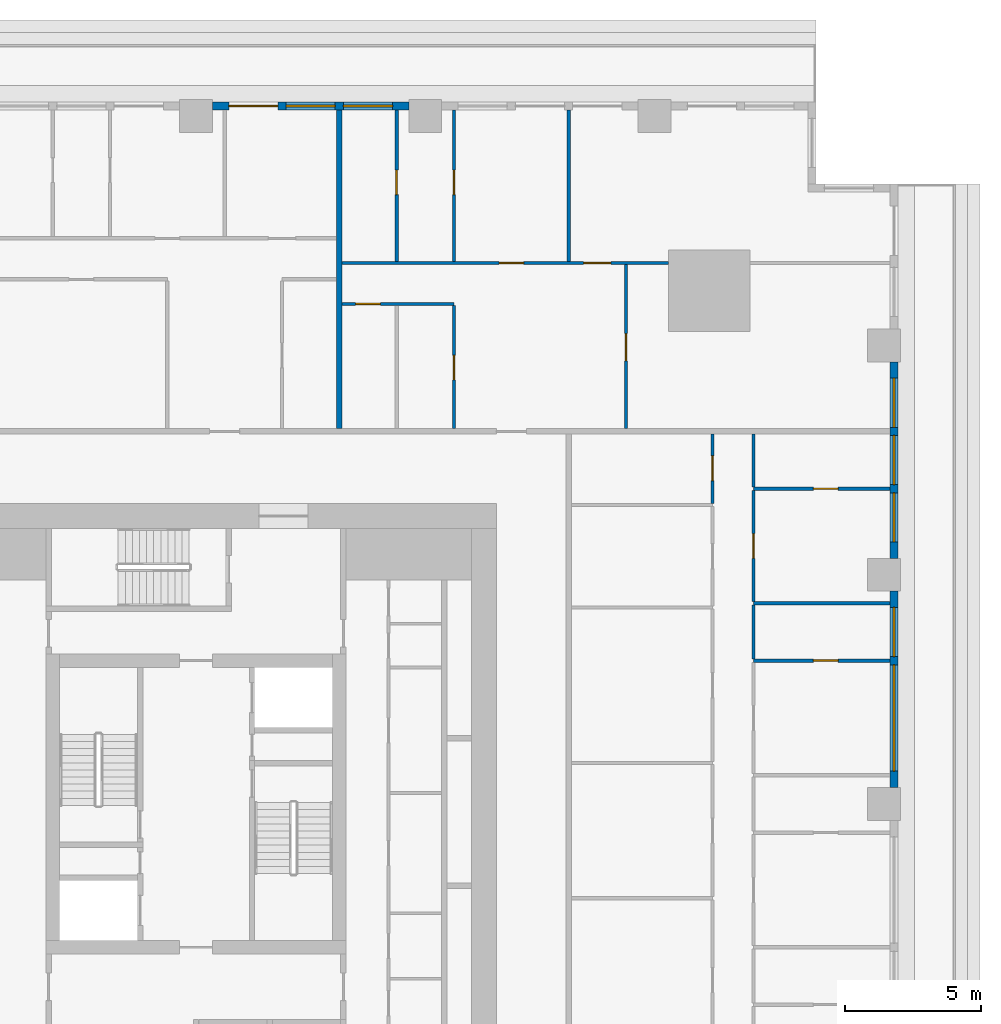
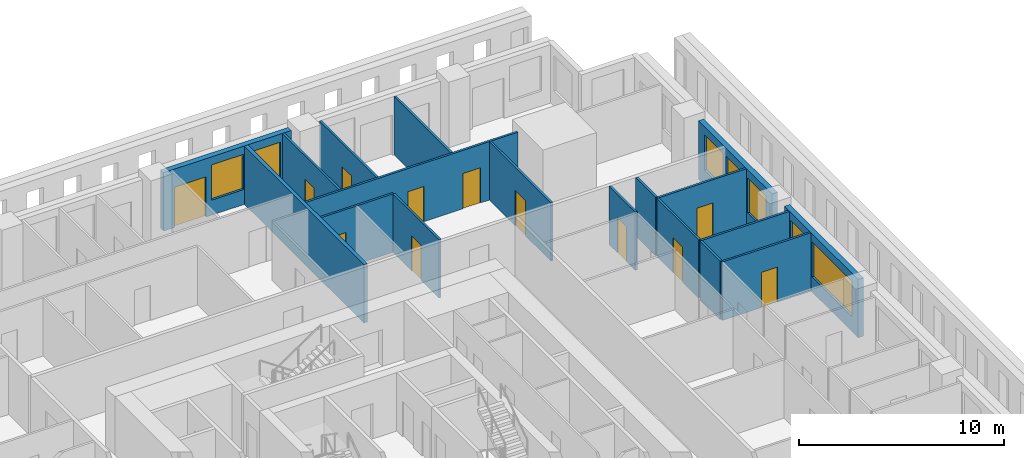
# One storey, part 9 of 15: 18 walls, 12 doors, 7 windows, 19 openings.
"""IFC4 building model written with IfcOpenShell, lengths in metres."""

from ifc_helpers import new_model, si_unit, direction, frame, frame_2d, origin, place, context, subcontext, project, spatial, rectangle, extrude, material, layer, layer_set, type_object, element, fill, save


model = new_model("IFC4")

# Units and contexts
model_context = context("Model", 3, precision=1e-05, world=origin(), true_north=direction((0.0, 1.0)))
body_context = subcontext(model_context, "Body", "Model", "MODEL_VIEW")
ifc_project = project(units=[si_unit("LENGTHUNIT", "METRE"), si_unit("AREAUNIT", "SQUARE_METRE"), si_unit("VOLUMEUNIT", "CUBIC_METRE"), si_unit("PLANEANGLEUNIT", "RADIAN"), si_unit("MASSUNIT", "GRAM", prefix="KILO")], contexts=[model_context])

# Site, building, storey
site_placement = place(None, origin())
site = spatial("IfcSite", under=ifc_project, at=site_placement, CompositionType="ELEMENT")
building_placement = place(site_placement, origin())
building = spatial("IfcBuilding", under=site, at=building_placement, Name="Khepri Terraces", CompositionType="ELEMENT")
storey_placement = place(building_placement, frame((0.0, 0.0, 58.199951171875)))
storey = spatial("IfcBuildingStorey", under=building, at=storey_placement, Name="L13", CompositionType="ELEMENT", Elevation=58.199951171875)

# Wall
ifc_material_1 = material(Name="Fire-rated gypsum plasterboard partition, mineral wool")
ifc_layer_1 = layer(ifc_material_1, 0.199951171875, Name="Fire-rated gypsum plasterboard partition, mineral wool")
ifc_layer_set_1 = layer_set([ifc_layer_1], Name="Fire-rated gypsum plasterboard partition, mineral wool")
wall_type_1 = type_object("IfcWallType", Name="WL-CORR-200", PredefinedType="PARTITIONING", material=ifc_layer_set_1)
wall_1_placement = place(storey_placement, frame((5.25, 13.75, 0.0), z_axis=(0.0, 0.0, 1.0), x_axis=(0.0, 1.0, 0.0)))
element("IfcWall", 1, at=wall_1_placement, inside=storey, type_object=wall_type_1, Name="Partition P-087 L13", PredefinedType="PARTITIONING", context=body_context, shape_type="SweptSolid", body=[
    extrude(rectangle(XDim=11.669921875, YDim=0.199951171875, at=frame_2d((5.8349609375, 0.0))), origin(), (0.0, 0.0, 1.0), 3.47998046875),
])

# Wall, openings, windows
ifc_material_2 = material(Name="Precast concrete C50/60 warm stone", Category="masonry")
ifc_layer_2 = layer(ifc_material_2, 0.300048828125, Name="Precast concrete C50/60 warm stone", Category="masonry")
ifc_layer_set_2 = layer_set([ifc_layer_2], Name="Precast concrete C50/60 warm stone")
wall_type_2 = type_object("IfcWallType", Name="WL-EXT-PRECAST-300", PredefinedType="STANDARD", material=ifc_layer_set_2)
wall_2_placement = place(storey_placement, frame((25.570068359375, 0.60009765625, 0.0), z_axis=(0.0, 0.0, 1.0), x_axis=(0.0, 1.0, 0.0)))
wall_2 = element("IfcWall", 2, at=wall_2_placement, inside=storey, type_object=wall_type_2, Name="External wall L13 E", PredefinedType="STANDARD", context=body_context, shape_type="SweptSolid", body=[
    extrude(rectangle(XDim=7.199951171875, YDim=0.300048828125, at=frame_2d((3.60009765625, 0.0))), origin(), (0.0, 0.0, 1.0), 3.47998046875),
])
opening_1_placement = place(wall_2_placement, frame((0.60009765625, 0.0, 0.89990234375)))
opening_1 = element("IfcOpeningElement", 3, at=opening_1_placement, cuts=wall_2, Name="Opening W2", PredefinedType="OPENING", context=body_context, shape_type="SweptSolid", body=[
    extrude(rectangle(XDim=3.89990234375, YDim=2.10009765625, at=frame_2d((1.949951171875, 1.050048828125))), frame((0.0, 0.16015625, 0.0), z_axis=(0.0, -1.0, 0.0), x_axis=(1.0, 0.0, 0.0)), (0.0, 0.0, 1.0), 0.320068359375),
])
opening_2_placement = place(wall_2_placement, frame((4.800048828125, 0.0, 0.89990234375)))
opening_2 = element("IfcOpeningElement", 4, at=opening_2_placement, cuts=wall_2, Name="Opening W1", PredefinedType="OPENING", context=body_context, shape_type="SweptSolid", body=[
    extrude(rectangle(XDim=1.800048828125, YDim=2.10009765625, at=frame_2d((0.89990234375, 1.050048828125))), frame((0.0, 0.16015625, 0.0), z_axis=(0.0, -1.0, 0.0), x_axis=(1.0, 0.0, 0.0)), (0.0, 0.0, 1.0), 0.320068359375),
])
ifc_material_3 = material(Name="Clear glass", Category="glass")
window_type_1 = type_object("IfcWindowType", Name="WIN-RES-1800x2100", PartitioningType="SINGLE_PANEL", PredefinedType="WINDOW", material=ifc_material_3)
window_1_placement = place(opening_2_placement, origin())
window_1 = element("IfcWindow", 5, at=window_1_placement, inside=storey, type_object=window_type_1, Name="Window L13 E", OverallHeight=2.10009765625, OverallWidth=1.800048828125, PartitioningType="SINGLE_PANEL", PredefinedType="WINDOW", context=body_context, shape_type="SweptSolid", body=[
    extrude(rectangle(XDim=1.800048828125, YDim=2.10009765625, at=frame_2d((0.89990234375, 1.050048828125))), frame((0.0, 0.030029296875, 0.0), z_axis=(0.0, -1.0, 0.0), x_axis=(1.0, 0.0, 0.0)), (0.0, 0.0, 1.0), 0.06005859375),
])
fill(opening_2, window_1)
window_type_2 = type_object("IfcWindowType", Name="WIN-RES-3900x2100", PartitioningType="SINGLE_PANEL", PredefinedType="WINDOW", material=ifc_material_3)
window_2_placement = place(opening_1_placement, origin())
window_2 = element("IfcWindow", 6, at=window_2_placement, inside=storey, type_object=window_type_2, Name="Window L13 E", OverallHeight=2.10009765625, OverallWidth=3.89990234375, PartitioningType="SINGLE_PANEL", PredefinedType="WINDOW", context=body_context, shape_type="SweptSolid", body=[
    extrude(rectangle(XDim=3.89990234375, YDim=2.10009765625, at=frame_2d((1.949951171875, 1.050048828125))), frame((0.0, 0.030029296875, 0.0), z_axis=(0.0, -1.0, 0.0), x_axis=(1.0, 0.0, 0.0)), (0.0, 0.0, 1.0), 0.06005859375),
])
fill(opening_1, window_2)

wall_3_placement = place(storey_placement, frame((25.570068359375, 9.0, 0.0), z_axis=(0.0, 0.0, 1.0), x_axis=(0.0, 1.0, 0.0)))
wall_3 = element("IfcWall", 7, at=wall_3_placement, inside=storey, type_object=wall_type_2, Name="External wall L13 E", PredefinedType="STANDARD", context=body_context, shape_type="SweptSolid", body=[
    extrude(rectangle(XDim=7.199951171875, YDim=0.300048828125, at=frame_2d((3.60009765625, 0.0))), origin(), (0.0, 0.0, 1.0), 3.47998046875),
])
opening_3_placement = place(wall_3_placement, frame((0.60009765625, 0.0, 0.89990234375)))
opening_3 = element("IfcOpeningElement", 8, at=opening_3_placement, cuts=wall_3, Name="Opening W1", PredefinedType="OPENING", context=body_context, shape_type="SweptSolid", body=[
    extrude(rectangle(XDim=1.800048828125, YDim=2.10009765625, at=frame_2d((0.89990234375, 1.050048828125))), frame((0.0, 0.16015625, 0.0), z_axis=(0.0, -1.0, 0.0), x_axis=(1.0, 0.0, 0.0)), (0.0, 0.0, 1.0), 0.320068359375),
])
opening_4_placement = place(wall_3_placement, frame((2.699951171875, 0.0, 0.89990234375)))
opening_4 = element("IfcOpeningElement", 9, at=opening_4_placement, cuts=wall_3, Name="Opening W1", PredefinedType="OPENING", context=body_context, shape_type="SweptSolid", body=[
    extrude(rectangle(XDim=1.800048828125, YDim=2.10009765625, at=frame_2d((0.89990234375, 1.050048828125))), frame((0.0, 0.16015625, 0.0), z_axis=(0.0, -1.0, 0.0), x_axis=(1.0, 0.0, 0.0)), (0.0, 0.0, 1.0), 0.320068359375),
])
opening_5_placement = place(wall_3_placement, frame((4.800048828125, 0.0, 0.89990234375)))
opening_5 = element("IfcOpeningElement", 10, at=opening_5_placement, cuts=wall_3, Name="Opening W1", PredefinedType="OPENING", context=body_context, shape_type="SweptSolid", body=[
    extrude(rectangle(XDim=1.800048828125, YDim=2.10009765625, at=frame_2d((0.89990234375, 1.050048828125))), frame((0.0, 0.16015625, 0.0), z_axis=(0.0, -1.0, 0.0), x_axis=(1.0, 0.0, 0.0)), (0.0, 0.0, 1.0), 0.320068359375),
])
window_3_placement = place(opening_3_placement, origin())
window_3 = element("IfcWindow", 11, at=window_3_placement, inside=storey, type_object=window_type_1, Name="Window L13 E", OverallHeight=2.10009765625, OverallWidth=1.800048828125, PartitioningType="SINGLE_PANEL", PredefinedType="WINDOW", context=body_context, shape_type="SweptSolid", body=[
    extrude(rectangle(XDim=1.800048828125, YDim=2.10009765625, at=frame_2d((0.89990234375, 1.050048828125))), frame((0.0, 0.030029296875, 0.0), z_axis=(0.0, -1.0, 0.0), x_axis=(1.0, 0.0, 0.0)), (0.0, 0.0, 1.0), 0.06005859375),
])
fill(opening_3, window_3)
window_4_placement = place(opening_4_placement, origin())
window_4 = element("IfcWindow", 12, at=window_4_placement, inside=storey, type_object=window_type_1, Name="Window L13 E", OverallHeight=2.10009765625, OverallWidth=1.800048828125, PartitioningType="SINGLE_PANEL", PredefinedType="WINDOW", context=body_context, shape_type="SweptSolid", body=[
    extrude(rectangle(XDim=1.800048828125, YDim=2.10009765625, at=frame_2d((0.89990234375, 1.050048828125))), frame((0.0, 0.030029296875, 0.0), z_axis=(0.0, -1.0, 0.0), x_axis=(1.0, 0.0, 0.0)), (0.0, 0.0, 1.0), 0.06005859375),
])
fill(opening_4, window_4)
window_5_placement = place(opening_5_placement, origin())
window_5 = element("IfcWindow", 13, at=window_5_placement, inside=storey, type_object=window_type_1, Name="Window L13 E", OverallHeight=2.10009765625, OverallWidth=1.800048828125, PartitioningType="SINGLE_PANEL", PredefinedType="WINDOW", context=body_context, shape_type="SweptSolid", body=[
    extrude(rectangle(XDim=1.800048828125, YDim=2.10009765625, at=frame_2d((0.89990234375, 1.050048828125))), frame((0.0, 0.030029296875, 0.0), z_axis=(0.0, -1.0, 0.0), x_axis=(1.0, 0.0, 0.0)), (0.0, 0.0, 1.0), 0.06005859375),
])
fill(opening_5, window_5)

# Wall, openings, door, windows
wall_4_placement = place(storey_placement, frame((7.800048828125, 25.570068359375, 0.0), z_axis=(0.0, 0.0, 1.0), x_axis=(-1.0, 0.0, 0.0)))
wall_4 = element("IfcWall", 14, at=wall_4_placement, inside=storey, type_object=wall_type_2, Name="External wall L13 N", PredefinedType="STANDARD", context=body_context, shape_type="SweptSolid", body=[
    extrude(rectangle(XDim=7.199951171875, YDim=0.300048828125, at=frame_2d((3.60009765625, 0.0))), origin(), (0.0, 0.0, 1.0), 3.47998046875),
])
opening_6_placement = place(wall_4_placement, frame((0.60009765625, 0.0, 0.89990234375)))
opening_6 = element("IfcOpeningElement", 15, at=opening_6_placement, cuts=wall_4, Name="Opening W1", PredefinedType="OPENING", context=body_context, shape_type="SweptSolid", body=[
    extrude(rectangle(XDim=1.800048828125, YDim=2.10009765625, at=frame_2d((0.89990234375, 1.050048828125))), frame((0.0, 0.16015625, 0.0), z_axis=(0.0, -1.0, 0.0), x_axis=(1.0, 0.0, 0.0)), (0.0, 0.0, 1.0), 0.320068359375),
])
opening_7_placement = place(wall_4_placement, frame((2.699951171875, 0.0, 0.89990234375)))
opening_7 = element("IfcOpeningElement", 16, at=opening_7_placement, cuts=wall_4, Name="Opening W1", PredefinedType="OPENING", context=body_context, shape_type="SweptSolid", body=[
    extrude(rectangle(XDim=1.800048828125, YDim=2.10009765625, at=frame_2d((0.89990234375, 1.050048828125))), frame((0.0, 0.16015625, 0.0), z_axis=(0.0, -1.0, 0.0), x_axis=(1.0, 0.0, 0.0)), (0.0, 0.0, 1.0), 0.320068359375),
])
opening_8_placement = place(wall_4_placement, frame((4.800048828125, 0.0, 0.0)))
opening_8 = element("IfcOpeningElement", 17, at=opening_8_placement, cuts=wall_4, Name="Opening ED-L13-08", PredefinedType="OPENING", context=body_context, shape_type="SweptSolid", body=[
    extrude(rectangle(XDim=1.800048828125, YDim=2.39990234375, at=frame_2d((0.89990234375, 1.199951171875))), frame((0.0, 0.16015625, 0.0), z_axis=(0.0, -1.0, 0.0), x_axis=(1.0, 0.0, 0.0)), (0.0, 0.0, 1.0), 0.320068359375),
])
ifc_material_4 = material(Name="Anodised aluminium bronze glazed door", Category="aluminium")
door_type_1 = type_object("IfcDoorType", Name="DR-BAL-SLIDE-1800x2400", OperationType="NOTDEFINED", PredefinedType="DOOR", material=ifc_material_4)
door_1_placement = place(opening_8_placement, origin())
door_1 = element("IfcDoor", 18, at=door_1_placement, inside=storey, type_object=door_type_1, Name="Balcony door L13 N", OperationType="SLIDING_TO_RIGHT", OverallHeight=2.39990234375, OverallWidth=1.800048828125, PredefinedType="DOOR", context=body_context, shape_type="SweptSolid", body=[
    extrude(rectangle(XDim=1.800048828125, YDim=2.39990234375, at=frame_2d((0.89990234375, 1.199951171875))), frame((0.0, 0.02490234375, 0.0), z_axis=(0.0, -1.0, 0.0), x_axis=(1.0, 0.0, 0.0)), (0.0, 0.0, 1.0), 0.050048828125),
])
fill(opening_8, door_1)
window_6_placement = place(opening_6_placement, origin())
window_6 = element("IfcWindow", 19, at=window_6_placement, inside=storey, type_object=window_type_1, Name="Window L13 N", OverallHeight=2.10009765625, OverallWidth=1.800048828125, PartitioningType="SINGLE_PANEL", PredefinedType="WINDOW", context=body_context, shape_type="SweptSolid", body=[
    extrude(rectangle(XDim=1.800048828125, YDim=2.10009765625, at=frame_2d((0.89990234375, 1.050048828125))), frame((0.0, 0.030029296875, 0.0), z_axis=(0.0, -1.0, 0.0), x_axis=(1.0, 0.0, 0.0)), (0.0, 0.0, 1.0), 0.06005859375),
])
fill(opening_6, window_6)
window_7_placement = place(opening_7_placement, origin())
window_7 = element("IfcWindow", 20, at=window_7_placement, inside=storey, type_object=window_type_1, Name="Window L13 N", OverallHeight=2.10009765625, OverallWidth=1.800048828125, PartitioningType="SINGLE_PANEL", PredefinedType="WINDOW", context=body_context, shape_type="SweptSolid", body=[
    extrude(rectangle(XDim=1.800048828125, YDim=2.10009765625, at=frame_2d((0.89990234375, 1.050048828125))), frame((0.0, 0.030029296875, 0.0), z_axis=(0.0, -1.0, 0.0), x_axis=(1.0, 0.0, 0.0)), (0.0, 0.0, 1.0), 0.06005859375),
])
fill(opening_7, window_7)

# Wall, opening, door
ifc_material_5 = material(Name="Gypsum plasterboard partition")
ifc_layer_3 = layer(ifc_material_5, 0.1201171875, Name="Gypsum plasterboard partition")
ifc_layer_set_3 = layer_set([ifc_layer_3], Name="Gypsum plasterboard partition")
wall_type_3 = type_object("IfcWallType", Name="WL-PART-120", PredefinedType="PARTITIONING", material=ifc_layer_set_3)
wall_5_placement = place(storey_placement, frame((20.419921875, 5.25, 0.0), z_axis=(0.0, 0.0, 1.0), x_axis=(1.0, 0.0, 0.0)))
wall_5 = element("IfcWall", 21, at=wall_5_placement, inside=storey, type_object=wall_type_3, Name="Partition P-059 L13", PredefinedType="PARTITIONING", context=body_context, shape_type="SweptSolid", body=[
    extrude(rectangle(XDim=5.0, YDim=0.1201171875, at=frame_2d((2.5, 0.0))), origin(), (0.0, 0.0, 1.0), 3.47998046875),
])
opening_9_placement = place(wall_5_placement, frame((2.199951171875, 0.0, 0.0)))
opening_9 = element("IfcOpeningElement", 22, at=opening_9_placement, cuts=wall_5, Name="Opening D4", PredefinedType="OPENING", context=body_context, shape_type="SweptSolid", body=[
    extrude(rectangle(XDim=0.89990234375, YDim=2.10009765625, at=frame_2d((0.449951171875, 1.050048828125))), frame((0.0, 0.070068359375, 0.0), z_axis=(0.0, -1.0, 0.0), x_axis=(1.0, 0.0, 0.0)), (0.0, 0.0, 1.0), 0.14013671875),
])
ifc_material_6 = material(Name="Timber door leaf, moisture resistant", Category="wood")
door_type_2 = type_object("IfcDoorType", Name="DR-WET-900", OperationType="NOTDEFINED", PredefinedType="DOOR", material=ifc_material_6)
door_2_placement = place(opening_9_placement, origin())
door_2 = element("IfcDoor", 23, at=door_2_placement, inside=storey, type_object=door_type_2, Name="Door Bathroom", OperationType="SINGLE_SWING_RIGHT", OverallHeight=2.10009765625, OverallWidth=0.89990234375, PredefinedType="DOOR", context=body_context, shape_type="SweptSolid", body=[
    extrude(rectangle(XDim=0.89990234375, YDim=2.10009765625, at=frame_2d((0.449951171875, 1.050048828125))), frame((0.0, 0.02490234375, 0.0), z_axis=(0.0, -1.0, 0.0), x_axis=(1.0, 0.0, 0.0)), (0.0, 0.0, 1.0), 0.050048828125),
])
fill(opening_9, door_2)

# Walls
wall_6_placement = place(storey_placement, frame((20.419921875, 5.31005859375, 0.0), z_axis=(0.0, 0.0, 1.0), x_axis=(0.0, 1.0, 0.0)))
element("IfcWall", 24, at=wall_6_placement, inside=storey, type_object=wall_type_3, Name="Partition P-060 L13", PredefinedType="PARTITIONING", context=body_context, shape_type="SweptSolid", body=[
    extrude(rectangle(XDim=1.97998046875, YDim=0.1201171875, at=frame_2d((0.989990234375, 0.0))), origin(), (0.0, 0.0, 1.0), 3.47998046875),
])
wall_7_placement = place(storey_placement, frame((20.419921875, 7.35009765625, 0.0), z_axis=(0.0, 0.0, 1.0), x_axis=(1.0, 0.0, 0.0)))
element("IfcWall", 25, at=wall_7_placement, inside=storey, type_object=wall_type_3, Name="Partition P-068 L13", PredefinedType="PARTITIONING", context=body_context, shape_type="SweptSolid", body=[
    extrude(rectangle(XDim=5.0, YDim=0.1201171875, at=frame_2d((2.5, 0.0))), origin(), (0.0, 0.0, 1.0), 3.47998046875),
])

# Wall, opening, door
wall_8_placement = place(storey_placement, frame((20.419921875, 7.409912109375, 0.0), z_axis=(0.0, 0.0, 1.0), x_axis=(0.0, 1.0, 0.0)))
wall_8 = element("IfcWall", 26, at=wall_8_placement, inside=storey, type_object=wall_type_3, Name="Partition P-071 L13", PredefinedType="PARTITIONING", context=body_context, shape_type="SweptSolid", body=[
    extrude(rectangle(XDim=4.080078125, YDim=0.1201171875, at=frame_2d((2.0400390625, 0.0))), origin(), (0.0, 0.0, 1.0), 3.47998046875),
])
opening_10_placement = place(wall_8_placement, frame((1.590087890625, 0.0, 0.0)))
opening_10 = element("IfcOpeningElement", 27, at=opening_10_placement, cuts=wall_8, Name="Opening D3", PredefinedType="OPENING", context=body_context, shape_type="SweptSolid", body=[
    extrude(rectangle(XDim=0.89990234375, YDim=2.10009765625, at=frame_2d((0.449951171875, 1.050048828125))), frame((0.0, 0.070068359375, 0.0), z_axis=(0.0, -1.0, 0.0), x_axis=(1.0, 0.0, 0.0)), (0.0, 0.0, 1.0), 0.14013671875),
])
ifc_material_7 = material(Name="Timber door leaf", Category="wood")
door_type_3 = type_object("IfcDoorType", Name="DR-INT-900", OperationType="NOTDEFINED", PredefinedType="DOOR", material=ifc_material_7)
door_3_placement = place(opening_10_placement, frame((0.89990234375, 0.0, 0.0), z_axis=(0.0, 0.0, 1.0), x_axis=(-1.0, 0.0, 0.0)))
door_3 = element("IfcDoor", 28, at=door_3_placement, inside=storey, type_object=door_type_3, Name="Door Guest Bedroom", OperationType="SINGLE_SWING_RIGHT", OverallHeight=2.10009765625, OverallWidth=0.89990234375, PredefinedType="DOOR", context=body_context, shape_type="SweptSolid", body=[
    extrude(rectangle(XDim=0.89990234375, YDim=2.10009765625, at=frame_2d((0.449951171875, 1.050048828125))), frame((0.0, 0.02490234375, 0.0), z_axis=(0.0, -1.0, 0.0), x_axis=(1.0, 0.0, 0.0)), (0.0, 0.0, 1.0), 0.050048828125),
])
fill(opening_10, door_3)

wall_9_placement = place(storey_placement, frame((18.919921875, 11.010009765625, 0.0), z_axis=(0.0, 0.0, 1.0), x_axis=(0.0, 1.0, 0.0)))
wall_9 = element("IfcWall", 29, at=wall_9_placement, inside=storey, type_object=wall_type_3, Name="Partition P-076 L13", PredefinedType="PARTITIONING", context=body_context, shape_type="SweptSolid", body=[
    extrude(rectangle(XDim=2.5400390625, YDim=0.1201171875, at=frame_2d((1.27001953125, 0.0))), origin(), (0.0, 0.0, 1.0), 3.47998046875),
])
opening_11_placement = place(wall_9_placement, frame((0.840087890625, 0.0, 0.0)))
opening_11 = element("IfcOpeningElement", 30, at=opening_11_placement, cuts=wall_9, Name="Opening D3", PredefinedType="OPENING", context=body_context, shape_type="SweptSolid", body=[
    extrude(rectangle(XDim=0.89990234375, YDim=2.10009765625, at=frame_2d((0.449951171875, 1.050048828125))), frame((0.0, 0.070068359375, 0.0), z_axis=(0.0, -1.0, 0.0), x_axis=(1.0, 0.0, 0.0)), (0.0, 0.0, 1.0), 0.14013671875),
])
door_4_placement = place(opening_11_placement, origin())
door_4 = element("IfcDoor", 31, at=door_4_placement, inside=storey, type_object=door_type_3, Name="Door Utility Room", OperationType="SINGLE_SWING_RIGHT", OverallHeight=2.10009765625, OverallWidth=0.89990234375, PredefinedType="DOOR", context=body_context, shape_type="SweptSolid", body=[
    extrude(rectangle(XDim=0.89990234375, YDim=2.10009765625, at=frame_2d((0.449951171875, 1.050048828125))), frame((0.0, 0.02490234375, 0.0), z_axis=(0.0, -1.0, 0.0), x_axis=(1.0, 0.0, 0.0)), (0.0, 0.0, 1.0), 0.050048828125),
])
fill(opening_11, door_4)

wall_10_placement = place(storey_placement, frame((20.419921875, 11.550048828125, 0.0), z_axis=(0.0, 0.0, 1.0), x_axis=(1.0, 0.0, 0.0)))
wall_10 = element("IfcWall", 32, at=wall_10_placement, inside=storey, type_object=wall_type_3, Name="Partition P-077 L13", PredefinedType="PARTITIONING", context=body_context, shape_type="SweptSolid", body=[
    extrude(rectangle(XDim=5.0, YDim=0.1201171875, at=frame_2d((2.5, 0.0))), origin(), (0.0, 0.0, 1.0), 3.47998046875),
])
opening_12_placement = place(wall_10_placement, frame((2.199951171875, 0.0, 0.0)))
opening_12 = element("IfcOpeningElement", 33, at=opening_12_placement, cuts=wall_10, Name="Opening D4", PredefinedType="OPENING", context=body_context, shape_type="SweptSolid", body=[
    extrude(rectangle(XDim=0.89990234375, YDim=2.10009765625, at=frame_2d((0.449951171875, 1.050048828125))), frame((0.0, 0.070068359375, 0.0), z_axis=(0.0, -1.0, 0.0), x_axis=(1.0, 0.0, 0.0)), (0.0, 0.0, 1.0), 0.14013671875),
])
door_5_placement = place(opening_12_placement, origin())
door_5 = element("IfcDoor", 34, at=door_5_placement, inside=storey, type_object=door_type_2, Name="Door Bathroom", OperationType="SINGLE_SWING_RIGHT", OverallHeight=2.10009765625, OverallWidth=0.89990234375, PredefinedType="DOOR", context=body_context, shape_type="SweptSolid", body=[
    extrude(rectangle(XDim=0.89990234375, YDim=2.10009765625, at=frame_2d((0.449951171875, 1.050048828125))), frame((0.0, 0.02490234375, 0.0), z_axis=(0.0, -1.0, 0.0), x_axis=(1.0, 0.0, 0.0)), (0.0, 0.0, 1.0), 0.050048828125),
])
fill(opening_12, door_5)

# Wall
wall_11_placement = place(storey_placement, frame((20.419921875, 11.610107421875, 0.0), z_axis=(0.0, 0.0, 1.0), x_axis=(0.0, 1.0, 0.0)))
element("IfcWall", 35, at=wall_11_placement, inside=storey, type_object=wall_type_3, Name="Partition P-078 L13", PredefinedType="PARTITIONING", context=body_context, shape_type="SweptSolid", body=[
    extrude(rectangle(XDim=1.93994140625, YDim=0.1201171875, at=frame_2d((0.969970703125, 0.0))), origin(), (0.0, 0.0, 1.0), 3.47998046875),
])

# Wall, opening, door
wall_12_placement = place(storey_placement, frame((9.449951171875, 13.75, 0.0), z_axis=(0.0, 0.0, 1.0), x_axis=(0.0, 1.0, 0.0)))
wall_12 = element("IfcWall", 36, at=wall_12_placement, inside=storey, type_object=wall_type_3, Name="Partition P-089 L13", PredefinedType="PARTITIONING", context=body_context, shape_type="SweptSolid", body=[
    extrude(rectangle(XDim=4.510009765625, YDim=0.1201171875, at=frame_2d((2.2548828125, 0.0))), origin(), (0.0, 0.0, 1.0), 3.47998046875),
])
opening_13_placement = place(wall_12_placement, frame((1.784912109375, 0.0, 0.0)))
opening_13 = element("IfcOpeningElement", 37, at=opening_13_placement, cuts=wall_12, Name="Opening D4", PredefinedType="OPENING", context=body_context, shape_type="SweptSolid", body=[
    extrude(rectangle(XDim=0.89990234375, YDim=2.10009765625, at=frame_2d((0.449951171875, 1.050048828125))), frame((0.0, 0.070068359375, 0.0), z_axis=(0.0, -1.0, 0.0), x_axis=(1.0, 0.0, 0.0)), (0.0, 0.0, 1.0), 0.14013671875),
])
door_6_placement = place(opening_13_placement, origin())
door_6 = element("IfcDoor", 38, at=door_6_placement, inside=storey, type_object=door_type_2, Name="Door Guest Bathroom", OperationType="SINGLE_SWING_LEFT", OverallHeight=2.10009765625, OverallWidth=0.89990234375, PredefinedType="DOOR", context=body_context, shape_type="SweptSolid", body=[
    extrude(rectangle(XDim=0.89990234375, YDim=2.10009765625, at=frame_2d((0.449951171875, 1.050048828125))), frame((0.0, 0.02490234375, 0.0), z_axis=(0.0, -1.0, 0.0), x_axis=(1.0, 0.0, 0.0)), (0.0, 0.0, 1.0), 0.050048828125),
])
fill(opening_13, door_6)

wall_13_placement = place(storey_placement, frame((15.75, 13.75, 0.0), z_axis=(0.0, 0.0, 1.0), x_axis=(0.0, 1.0, 0.0)))
wall_13 = element("IfcWall", 39, at=wall_13_placement, inside=storey, type_object=wall_type_3, Name="Partition P-090 L13", PredefinedType="PARTITIONING", context=body_context, shape_type="SweptSolid", body=[
    extrude(rectangle(XDim=6.010009765625, YDim=0.1201171875, at=frame_2d((3.0048828125, 0.0))), origin(), (0.0, 0.0, 1.0), 3.47998046875),
])
opening_14_placement = place(wall_13_placement, frame((2.485107421875, 0.0, 0.0)))
opening_14 = element("IfcOpeningElement", 40, at=opening_14_placement, cuts=wall_13, Name="Opening D2", PredefinedType="OPENING", context=body_context, shape_type="SweptSolid", body=[
    extrude(rectangle(XDim=1.0, YDim=2.10009765625, at=frame_2d((0.5, 1.050048828125))), frame((0.0, 0.070068359375, 0.0), z_axis=(0.0, -1.0, 0.0), x_axis=(1.0, 0.0, 0.0)), (0.0, 0.0, 1.0), 0.14013671875),
])
ifc_material_8 = material(Name="Timber door leaf, living room door", Category="wood")
door_type_4 = type_object("IfcDoorType", Name="DR-INT-1000", OperationType="NOTDEFINED", PredefinedType="DOOR", material=ifc_material_8)
door_7_placement = place(opening_14_placement, frame((1.0, 0.0, 0.0), z_axis=(0.0, 0.0, 1.0), x_axis=(-1.0, 0.0, 0.0)))
door_7 = element("IfcDoor", 41, at=door_7_placement, inside=storey, type_object=door_type_4, Name="Door Family Room", OperationType="SINGLE_SWING_RIGHT", OverallHeight=2.10009765625, OverallWidth=1.0, PredefinedType="DOOR", context=body_context, shape_type="SweptSolid", body=[
    extrude(rectangle(XDim=1.0, YDim=2.10009765625, at=frame_2d((0.5, 1.050048828125))), frame((0.0, 0.02490234375, 0.0), z_axis=(0.0, -1.0, 0.0), x_axis=(1.0, 0.0, 0.0)), (0.0, 0.0, 1.0), 0.050048828125),
])
fill(opening_14, door_7)

wall_14_placement = place(storey_placement, frame((5.35009765625, 18.320068359375, 0.0), z_axis=(0.0, 0.0, 1.0), x_axis=(1.0, 0.0, 0.0)))
wall_14 = element("IfcWall", 42, at=wall_14_placement, inside=storey, type_object=wall_type_3, Name="Partition P-093 L13", PredefinedType="PARTITIONING", context=body_context, shape_type="SweptSolid", body=[
    extrude(rectangle(XDim=4.099853515625, YDim=0.1201171875, at=frame_2d((2.0498046875, 0.0))), origin(), (0.0, 0.0, 1.0), 3.47998046875),
])
opening_15_placement = place(wall_14_placement, frame((0.5, 0.0, 0.0)))
opening_15 = element("IfcOpeningElement", 43, at=opening_15_placement, cuts=wall_14, Name="Opening D3", PredefinedType="OPENING", context=body_context, shape_type="SweptSolid", body=[
    extrude(rectangle(XDim=0.89990234375, YDim=2.10009765625, at=frame_2d((0.449951171875, 1.050048828125))), frame((0.0, 0.070068359375, 0.0), z_axis=(0.0, -1.0, 0.0), x_axis=(1.0, 0.0, 0.0)), (0.0, 0.0, 1.0), 0.14013671875),
])
door_8_placement = place(opening_15_placement, frame((0.89990234375, 0.0, 0.0), z_axis=(0.0, 0.0, 1.0), x_axis=(-1.0, 0.0, 0.0)))
door_8 = element("IfcDoor", 44, at=door_8_placement, inside=storey, type_object=door_type_3, Name="Door Kitchen", OperationType="SINGLE_SWING_RIGHT", OverallHeight=2.10009765625, OverallWidth=0.89990234375, PredefinedType="DOOR", context=body_context, shape_type="SweptSolid", body=[
    extrude(rectangle(XDim=0.89990234375, YDim=2.10009765625, at=frame_2d((0.449951171875, 1.050048828125))), frame((0.0, 0.02490234375, 0.0), z_axis=(0.0, -1.0, 0.0), x_axis=(1.0, 0.0, 0.0)), (0.0, 0.0, 1.0), 0.050048828125),
])
fill(opening_15, door_8)

# Wall, openings, doors
wall_15_placement = place(storey_placement, frame((5.35009765625, 19.820068359375, 0.0), z_axis=(0.0, 0.0, 1.0), x_axis=(1.0, 0.0, 0.0)))
wall_15 = element("IfcWall", 45, at=wall_15_placement, inside=storey, type_object=wall_type_3, Name="Partition P-096 L13", PredefinedType="PARTITIONING", context=body_context, shape_type="SweptSolid", body=[
    extrude(rectangle(XDim=11.949951171875, YDim=0.1201171875, at=frame_2d((5.97509765625, 0.0))), origin(), (0.0, 0.0, 1.0), 3.47998046875),
])
opening_16_placement = place(wall_15_placement, frame((8.85009765625, 0.0, 0.0)))
opening_16 = element("IfcOpeningElement", 46, at=opening_16_placement, cuts=wall_15, Name="Opening D2", PredefinedType="OPENING", context=body_context, shape_type="SweptSolid", body=[
    extrude(rectangle(XDim=1.0, YDim=2.10009765625, at=frame_2d((0.5, 1.050048828125))), frame((0.0, 0.070068359375, 0.0), z_axis=(0.0, -1.0, 0.0), x_axis=(1.0, 0.0, 0.0)), (0.0, 0.0, 1.0), 0.14013671875),
])
opening_17_placement = place(wall_15_placement, frame((5.75, 0.0, 0.0)))
opening_17 = element("IfcOpeningElement", 47, at=opening_17_placement, cuts=wall_15, Name="Opening D3", PredefinedType="OPENING", context=body_context, shape_type="SweptSolid", body=[
    extrude(rectangle(XDim=0.89990234375, YDim=2.10009765625, at=frame_2d((0.449951171875, 1.050048828125))), frame((0.0, 0.070068359375, 0.0), z_axis=(0.0, -1.0, 0.0), x_axis=(1.0, 0.0, 0.0)), (0.0, 0.0, 1.0), 0.14013671875),
])
door_9_placement = place(opening_16_placement, origin())
door_9 = element("IfcDoor", 48, at=door_9_placement, inside=storey, type_object=door_type_4, Name="Door Living Room", OperationType="SINGLE_SWING_RIGHT", OverallHeight=2.10009765625, OverallWidth=1.0, PredefinedType="DOOR", context=body_context, shape_type="SweptSolid", body=[
    extrude(rectangle(XDim=1.0, YDim=2.10009765625, at=frame_2d((0.5, 1.050048828125))), frame((0.0, 0.02490234375, 0.0), z_axis=(0.0, -1.0, 0.0), x_axis=(1.0, 0.0, 0.0)), (0.0, 0.0, 1.0), 0.050048828125),
])
fill(opening_16, door_9)
door_10_placement = place(opening_17_placement, origin())
door_10 = element("IfcDoor", 49, at=door_10_placement, inside=storey, type_object=door_type_3, Name="Door Master Bedroom", OperationType="SINGLE_SWING_RIGHT", OverallHeight=2.10009765625, OverallWidth=0.89990234375, PredefinedType="DOOR", context=body_context, shape_type="SweptSolid", body=[
    extrude(rectangle(XDim=0.89990234375, YDim=2.10009765625, at=frame_2d((0.449951171875, 1.050048828125))), frame((0.0, 0.02490234375, 0.0), z_axis=(0.0, -1.0, 0.0), x_axis=(1.0, 0.0, 0.0)), (0.0, 0.0, 1.0), 0.050048828125),
])
fill(opening_17, door_10)

# Wall, opening, door
wall_16_placement = place(storey_placement, frame((7.35009765625, 19.8798828125, 0.0), z_axis=(0.0, 0.0, 1.0), x_axis=(0.0, 1.0, 0.0)))
wall_16 = element("IfcWall", 50, at=wall_16_placement, inside=storey, type_object=wall_type_3, Name="Partition P-098 L13", PredefinedType="PARTITIONING", context=body_context, shape_type="SweptSolid", body=[
    extrude(rectangle(XDim=5.5400390625, YDim=0.1201171875, at=frame_2d((2.77001953125, 0.0))), origin(), (0.0, 0.0, 1.0), 3.47998046875),
])
opening_18_placement = place(wall_16_placement, frame((2.43994140625, 0.0, 0.0)))
opening_18 = element("IfcOpeningElement", 51, at=opening_18_placement, cuts=wall_16, Name="Opening D4", PredefinedType="OPENING", context=body_context, shape_type="SweptSolid", body=[
    extrude(rectangle(XDim=0.89990234375, YDim=2.10009765625, at=frame_2d((0.449951171875, 1.050048828125))), frame((0.0, 0.070068359375, 0.0), z_axis=(0.0, -1.0, 0.0), x_axis=(1.0, 0.0, 0.0)), (0.0, 0.0, 1.0), 0.14013671875),
])
door_11_placement = place(opening_18_placement, origin())
door_11 = element("IfcDoor", 52, at=door_11_placement, inside=storey, type_object=door_type_2, Name="Door Bathroom", OperationType="SINGLE_SWING_RIGHT", OverallHeight=2.10009765625, OverallWidth=0.89990234375, PredefinedType="DOOR", context=body_context, shape_type="SweptSolid", body=[
    extrude(rectangle(XDim=0.89990234375, YDim=2.10009765625, at=frame_2d((0.449951171875, 1.050048828125))), frame((0.0, 0.02490234375, 0.0), z_axis=(0.0, -1.0, 0.0), x_axis=(1.0, 0.0, 0.0)), (0.0, 0.0, 1.0), 0.050048828125),
])
fill(opening_18, door_11)

wall_17_placement = place(storey_placement, frame((9.449951171875, 19.8798828125, 0.0), z_axis=(0.0, 0.0, 1.0), x_axis=(0.0, 1.0, 0.0)))
wall_17 = element("IfcWall", 53, at=wall_17_placement, inside=storey, type_object=wall_type_3, Name="Partition P-099 L13", PredefinedType="PARTITIONING", context=body_context, shape_type="SweptSolid", body=[
    extrude(rectangle(XDim=5.5400390625, YDim=0.1201171875, at=frame_2d((2.77001953125, 0.0))), origin(), (0.0, 0.0, 1.0), 3.47998046875),
])
opening_19_placement = place(wall_17_placement, frame((2.43994140625, 0.0, 0.0)))
opening_19 = element("IfcOpeningElement", 54, at=opening_19_placement, cuts=wall_17, Name="Opening D3", PredefinedType="OPENING", context=body_context, shape_type="SweptSolid", body=[
    extrude(rectangle(XDim=0.89990234375, YDim=2.10009765625, at=frame_2d((0.449951171875, 1.050048828125))), frame((0.0, 0.070068359375, 0.0), z_axis=(0.0, -1.0, 0.0), x_axis=(1.0, 0.0, 0.0)), (0.0, 0.0, 1.0), 0.14013671875),
])
door_12_placement = place(opening_19_placement, origin())
door_12 = element("IfcDoor", 55, at=door_12_placement, inside=storey, type_object=door_type_3, Name="Door Dressing Room", OperationType="SINGLE_SWING_RIGHT", OverallHeight=2.10009765625, OverallWidth=0.89990234375, PredefinedType="DOOR", context=body_context, shape_type="SweptSolid", body=[
    extrude(rectangle(XDim=0.89990234375, YDim=2.10009765625, at=frame_2d((0.449951171875, 1.050048828125))), frame((0.0, 0.02490234375, 0.0), z_axis=(0.0, -1.0, 0.0), x_axis=(1.0, 0.0, 0.0)), (0.0, 0.0, 1.0), 0.050048828125),
])
fill(opening_19, door_12)

# Wall
wall_18_placement = place(storey_placement, frame((13.64990234375, 19.8798828125, 0.0), z_axis=(0.0, 0.0, 1.0), x_axis=(0.0, 1.0, 0.0)))
element("IfcWall", 56, at=wall_18_placement, inside=storey, type_object=wall_type_3, Name="Partition P-100 L13", PredefinedType="PARTITIONING", context=body_context, shape_type="SweptSolid", body=[
    extrude(rectangle(XDim=5.5400390625, YDim=0.1201171875, at=frame_2d((2.77001953125, 0.0))), origin(), (0.0, 0.0, 1.0), 3.47998046875),
])

save(model, "model.ifc")
